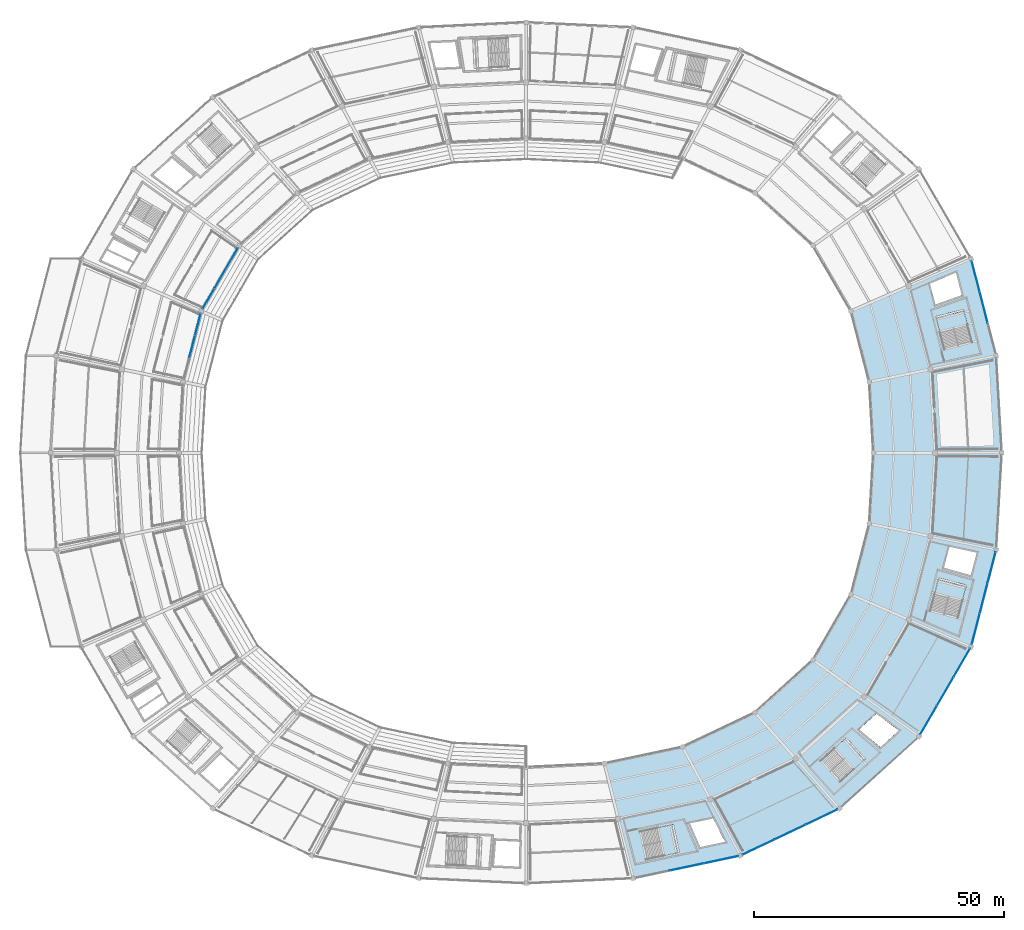
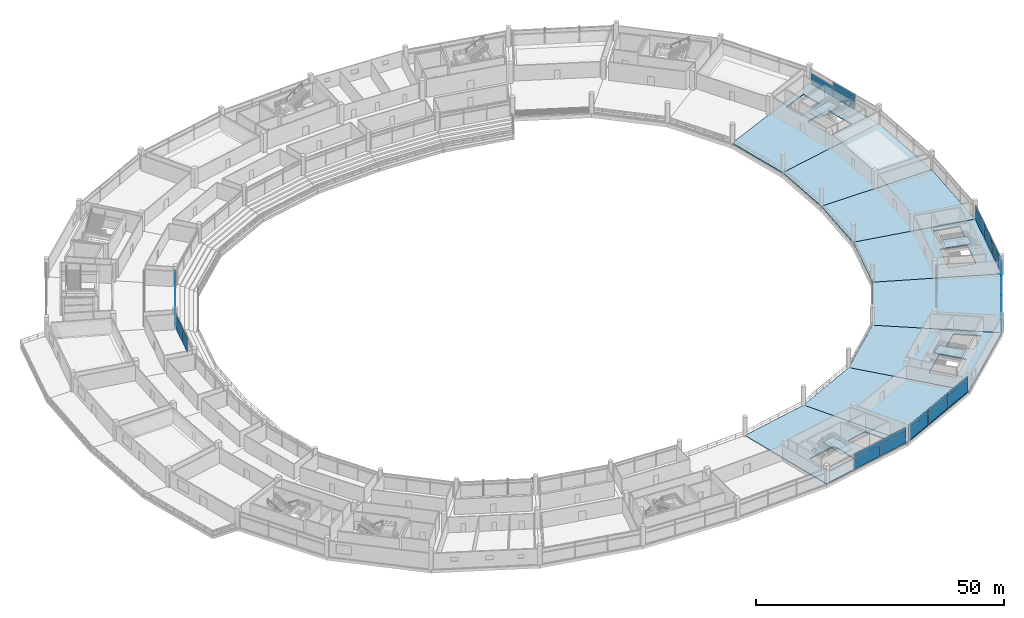
# One storey, part 124 of 171: 35 plates, 12 slabs, 11 elements without a shape of their own.
"""IFC4 building model written with IfcOpenShell, lengths in metres."""

from ifc_helpers import new_model, si_unit, direction, frame, origin, origin_2d, place, context, subcontext, project, spatial, polyline, rectangle, outline, extrude, material, layer, layer_set, type_object, element, aggregate, save


model = new_model("IFC4")

# Units and contexts
model_context = context("Model", 3, precision=1e-05, world=origin(), true_north=direction((0.0, 1.0)))
body_context = subcontext(model_context, "Body", "Model", "MODEL_VIEW")
ifc_project = project(units=[si_unit("LENGTHUNIT", "METRE"), si_unit("AREAUNIT", "SQUARE_METRE"), si_unit("VOLUMEUNIT", "CUBIC_METRE"), si_unit("PLANEANGLEUNIT", "RADIAN"), si_unit("MASSUNIT", "GRAM", prefix="KILO")], contexts=[model_context])

# Site, building, storey
site_placement = place(None, origin())
site = spatial("IfcSite", under=ifc_project, at=site_placement, CompositionType="ELEMENT")
building_placement = place(site_placement, origin())
building = spatial("IfcBuilding", under=site, at=building_placement, Name="Kazemori Nagisa Stadium", CompositionType="ELEMENT")
storey_placement = place(building_placement, frame((0.0, 0.0, 15.639892578125)))
storey = spatial("IfcBuildingStorey", under=building, at=storey_placement, Name="L03", CompositionType="ELEMENT", Elevation=15.639892578125)

# Curtain wall, plates
ifc_material_1 = material(Name="Anodised aluminium 6063-T5", Category="aluminium")
ifc_layer_1 = layer(ifc_material_1, 0.2099609375, Name="Anodised aluminium 6063-T5", Category="aluminium")
ifc_layer_set_1 = layer_set([ifc_layer_1], Name="Anodised aluminium 6063-T5")
curtain_wall_type_1 = type_object("IfcCurtainWallType", Name="CW_L03B_68", PredefinedType="USERDEFINED", material=ifc_layer_set_1)
curtain_wall_1_placement = place(storey_placement, origin())
curtain_wall_1 = element("IfcCurtainWall", 1, at=curtain_wall_1_placement, inside=storey, type_object=curtain_wall_type_1, Name="Unitised curtain wall CW-L03B-68 L03", ObjectType="UNITISED CURTAIN WALL", PredefinedType="USERDEFINED")
ifc_material_2 = material(Name="Anodised aluminium spandrel sheet", Category="aluminium")
ifc_layer_2 = layer(ifc_material_2, 0.047119140625, Name="Anodised aluminium spandrel sheet", Category="aluminium")
ifc_layer_set_2 = layer_set([ifc_layer_2], Name="Anodised aluminium spandrel sheet")
plate_type_1 = type_object("IfcPlateType", Name="CWPanel_SPN_L03B_68", PredefinedType="CURTAIN_PANEL", material=ifc_layer_set_2)
plate_1_placement = place(storey_placement, frame((57.4169921875, 127.58740234375, 3.01025390625), z_axis=(0.0, 0.0, 1.0), x_axis=(-0.249964642418, -0.968254965152, 0.0)))
plate_1 = element("IfcPlate", 2, at=plate_1_placement, type_object=plate_type_1, Name="Curtain wall spandrel panel CW-L03B-68-S1", PredefinedType="CURTAIN_PANEL", context=body_context, shape_type="SweptSolid", body=[
    extrude(rectangle(XDim=4.482666015625, YDim=0.047119140625, at=origin_2d()), origin(), (0.0, 0.0, 1.0), 0.800048828125),
])
plate_2_placement = place(storey_placement, frame((56.29052734375, 123.2236328125, 3.01025390625), z_axis=(0.0, 0.0, 1.0), x_axis=(-0.249964642418, -0.968254965152, 0.0)))
plate_2 = element("IfcPlate", 3, at=plate_2_placement, type_object=plate_type_1, Name="Curtain wall spandrel panel CW-L03B-68-S2", PredefinedType="CURTAIN_PANEL", context=body_context, shape_type="SweptSolid", body=[
    extrude(rectangle(XDim=4.482666015625, YDim=0.047119140625, at=origin_2d()), origin(), (0.0, 0.0, 1.0), 0.800048828125),
])

ifc_layer_3 = layer(ifc_material_1, 0.2099609375, Name="Anodised aluminium 6063-T5", Category="aluminium")
ifc_layer_set_3 = layer_set([ifc_layer_3], Name="Anodised aluminium 6063-T5")
curtain_wall_type_2 = type_object("IfcCurtainWallType", Name="CW_L03B_71", PredefinedType="USERDEFINED", material=ifc_layer_set_3)
curtain_wall_2_placement = place(storey_placement, origin())
curtain_wall_2 = element("IfcCurtainWall", 4, at=curtain_wall_2_placement, inside=storey, type_object=curtain_wall_type_2, Name="Unitised curtain wall CW-L03B-71 L03", ObjectType="UNITISED CURTAIN WALL", PredefinedType="USERDEFINED")
ifc_layer_4 = layer(ifc_material_2, 0.047119140625, Name="Anodised aluminium spandrel sheet", Category="aluminium")
ifc_layer_set_4 = layer_set([ifc_layer_4], Name="Anodised aluminium spandrel sheet")
plate_type_2 = type_object("IfcPlateType", Name="CWPanel_SPN_L03B_71", PredefinedType="CURTAIN_PANEL", material=ifc_layer_set_4)
plate_3_placement = place(storey_placement, frame((64.25537109375, 140.87890625, 3.01025390625), z_axis=(0.0, 0.0, 1.0), x_axis=(-0.501611590054, -0.865092950337, 0.0)))
plate_3 = element("IfcPlate", 5, at=plate_3_placement, type_object=plate_type_2, Name="Curtain wall spandrel panel CW-L03B-71-S1", PredefinedType="CURTAIN_PANEL", context=body_context, shape_type="SweptSolid", body=[
    extrude(rectangle(XDim=4.659423828125, YDim=0.047119140625, at=origin_2d()), origin(), (0.0, 0.0, 1.0), 0.800048828125),
])
plate_4_placement = place(storey_placement, frame((61.90625, 136.827392578125, 3.01025390625), z_axis=(0.0, 0.0, 1.0), x_axis=(-0.501611590054, -0.865092950337, 0.0)))
plate_4 = element("IfcPlate", 6, at=plate_4_placement, type_object=plate_type_2, Name="Curtain wall spandrel panel CW-L03B-71-S2", PredefinedType="CURTAIN_PANEL", context=body_context, shape_type="SweptSolid", body=[
    extrude(rectangle(XDim=4.659423828125, YDim=0.047119140625, at=origin_2d()), origin(), (0.0, 0.0, 1.0), 0.800048828125),
])
plate_5_placement = place(storey_placement, frame((59.556884765625, 132.775634765625, 3.01025390625), z_axis=(0.0, 0.0, 1.0), x_axis=(-0.501611590054, -0.865092950337, 0.0)))
plate_5 = element("IfcPlate", 7, at=plate_5_placement, type_object=plate_type_2, Name="Curtain wall spandrel panel CW-L03B-71-S3", PredefinedType="CURTAIN_PANEL", context=body_context, shape_type="SweptSolid", body=[
    extrude(rectangle(XDim=4.659423828125, YDim=0.047119140625, at=origin_2d()), origin(), (0.0, 0.0, 1.0), 0.800048828125),
])

ifc_layer_5 = layer(ifc_material_1, 0.2099609375, Name="Anodised aluminium 6063-T5", Category="aluminium")
ifc_layer_set_5 = layer_set([ifc_layer_5], Name="Anodised aluminium 6063-T5")
curtain_wall_type_3 = type_object("IfcCurtainWallType", Name="CW_L03R3_105", PredefinedType="USERDEFINED", material=ifc_layer_set_5)
curtain_wall_3_placement = place(storey_placement, origin())
curtain_wall_3 = element("IfcCurtainWall", 8, at=curtain_wall_3_placement, inside=storey, type_object=curtain_wall_type_3, Name="Unitised curtain wall CW-L03R3-105 L03", ObjectType="UNITISED CURTAIN WALL", PredefinedType="USERDEFINED")
ifc_layer_6 = layer(ifc_material_2, 0.050048828125, Name="Anodised aluminium spandrel sheet", Category="aluminium")
ifc_layer_set_6 = layer_set([ifc_layer_6], Name="Anodised aluminium spandrel sheet")
plate_type_3 = type_object("IfcPlateType", Name="CWPanel_SPN_L03R3_105", PredefinedType="CURTAIN_PANEL", material=ifc_layer_set_6)
plate_6_placement = place(storey_placement, frame((155.1162109375, 19.2744140625, 2.705078125), z_axis=(0.0, 0.0, 1.0), x_axis=(0.978344955407, 0.206981033502, 0.0)))
plate_6 = element("IfcPlate", 9, at=plate_6_placement, type_object=plate_type_3, Name="Curtain wall spandrel panel CW-L03R3-105-S2", PredefinedType="CURTAIN_PANEL", context=body_context, shape_type="SweptSolid", body=[
    extrude(rectangle(XDim=6.942626953125, YDim=0.050048828125, at=origin_2d()), origin(), (0.0, 0.0, 1.0), 1.10498046875),
])
plate_7_placement = place(storey_placement, frame((161.93212890625, 20.716552734375, 2.705078125), z_axis=(0.0, 0.0, 1.0), x_axis=(0.978344955407, 0.206981033502, 0.0)))
plate_7 = element("IfcPlate", 10, at=plate_7_placement, type_object=plate_type_3, Name="Curtain wall spandrel panel CW-L03R3-105-S3", PredefinedType="CURTAIN_PANEL", context=body_context, shape_type="SweptSolid", body=[
    extrude(rectangle(XDim=6.942626953125, YDim=0.050048828125, at=origin_2d()), origin(), (0.0, 0.0, 1.0), 1.10498046875),
])

curtain_wall_4_placement = place(storey_placement, origin())
curtain_wall_4 = element("IfcCurtainWall", 11, at=curtain_wall_4_placement, inside=storey, type_object=curtain_wall_type_3, Name="Unitised curtain wall CW-L03R3-105 L03", ObjectType="UNITISED CURTAIN WALL", PredefinedType="USERDEFINED")
plate_8_placement = place(storey_placement, frame((169.3896484375, 23.2392578125, 2.705078125), z_axis=(0.0, 0.0, 1.0), x_axis=(0.903215892654, 0.429186499388, 0.0)))
plate_8 = element("IfcPlate", 12, at=plate_8_placement, type_object=plate_type_3, Name="Curtain wall spandrel panel CW-L03R3-105-S1", PredefinedType="CURTAIN_PANEL", context=body_context, shape_type="SweptSolid", body=[
    extrude(rectangle(XDim=6.964111328125, YDim=0.050048828125, at=origin_2d()), origin(), (0.0, 0.0, 1.0), 1.10498046875),
])
plate_9_placement = place(storey_placement, frame((175.701416015625, 26.23828125, 2.705078125), z_axis=(0.0, 0.0, 1.0), x_axis=(0.903215892654, 0.429186499388, 0.0)))
plate_9 = element("IfcPlate", 13, at=plate_9_placement, type_object=plate_type_3, Name="Curtain wall spandrel panel CW-L03R3-105-S2", PredefinedType="CURTAIN_PANEL", context=body_context, shape_type="SweptSolid", body=[
    extrude(rectangle(XDim=6.964111328125, YDim=0.050048828125, at=origin_2d()), origin(), (0.0, 0.0, 1.0), 1.10498046875),
])
plate_10_placement = place(storey_placement, frame((182.01318359375, 29.237548828125, 2.705078125), z_axis=(0.0, 0.0, 1.0), x_axis=(0.903215892654, 0.429186499388, 0.0)))
plate_10 = element("IfcPlate", 14, at=plate_10_placement, type_object=plate_type_3, Name="Curtain wall spandrel panel CW-L03R3-105-S3", PredefinedType="CURTAIN_PANEL", context=body_context, shape_type="SweptSolid", body=[
    extrude(rectangle(XDim=6.964111328125, YDim=0.050048828125, at=origin_2d()), origin(), (0.0, 0.0, 1.0), 1.10498046875),
])

# Curtain wall, plate
ifc_layer_7 = layer(ifc_material_1, 0.2099609375, Name="Anodised aluminium 6063-T5", Category="aluminium")
ifc_layer_set_7 = layer_set([ifc_layer_7], Name="Anodised aluminium 6063-T5")
curtain_wall_type_4 = type_object("IfcCurtainWallType", Name="CW_L03R3_96", PredefinedType="USERDEFINED", material=ifc_layer_set_7)
curtain_wall_5_placement = place(storey_placement, origin())
curtain_wall_5 = element("IfcCurtainWall", 15, at=curtain_wall_5_placement, inside=storey, type_object=curtain_wall_type_4, Name="Unitised curtain wall CW-L03R3-96 L03", ObjectType="UNITISED CURTAIN WALL", PredefinedType="USERDEFINED")
ifc_layer_8 = layer(ifc_material_2, 0.050048828125, Name="Anodised aluminium spandrel sheet", Category="aluminium")
ifc_layer_set_8 = layer_set([ifc_layer_8], Name="Anodised aluminium spandrel sheet")
plate_type_4 = type_object("IfcPlateType", Name="CWPanel_SPN_L03R3_96", PredefinedType="CURTAIN_PANEL", material=ifc_layer_set_8)
plate_11_placement = place(storey_placement, frame((214.3828125, 131.07373046875, 2.705078125), z_axis=(0.0, 0.0, 1.0), x_axis=(-0.249964642418, 0.968254965152, 0.0)))
plate_11 = element("IfcPlate", 16, at=plate_11_placement, type_object=plate_type_4, Name="Curtain wall spandrel panel CW-L03R3-96-S2", PredefinedType="CURTAIN_PANEL", context=body_context, shape_type="SweptSolid", body=[
    extrude(rectangle(XDim=6.3212890625, YDim=0.050048828125, at=origin_2d()), origin(), (0.0, 0.0, 1.0), 1.10498046875),
])

# Curtain wall, plates
curtain_wall_6_placement = place(storey_placement, origin())
curtain_wall_6 = element("IfcCurtainWall", 17, at=curtain_wall_6_placement, inside=storey, type_object=curtain_wall_type_4, Name="Unitised curtain wall CW-L03R3-96 L03", ObjectType="UNITISED CURTAIN WALL", PredefinedType="USERDEFINED")
plate_12_placement = place(storey_placement, frame((212.796630859375, 66.782470703125, 2.705078125), z_axis=(0.0, 0.0, 1.0), x_axis=(0.249964642418, 0.968254965152, 0.0)))
plate_12 = element("IfcPlate", 18, at=plate_12_placement, type_object=plate_type_4, Name="Curtain wall spandrel panel CW-L03R3-96-S1", PredefinedType="CURTAIN_PANEL", context=body_context, shape_type="SweptSolid", body=[
    extrude(rectangle(XDim=6.3212890625, YDim=0.050048828125, at=origin_2d()), origin(), (0.0, 0.0, 1.0), 1.10498046875),
])
plate_13_placement = place(storey_placement, frame((214.3828125, 72.92626953125, 2.705078125), z_axis=(0.0, 0.0, 1.0), x_axis=(0.249964642418, 0.968254965152, 0.0)))
plate_13 = element("IfcPlate", 19, at=plate_13_placement, type_object=plate_type_4, Name="Curtain wall spandrel panel CW-L03R3-96-S2", PredefinedType="CURTAIN_PANEL", context=body_context, shape_type="SweptSolid", body=[
    extrude(rectangle(XDim=6.3212890625, YDim=0.050048828125, at=origin_2d()), origin(), (0.0, 0.0, 1.0), 1.10498046875),
])
plate_14_placement = place(storey_placement, frame((215.968994140625, 79.0703125, 2.705078125), z_axis=(0.0, 0.0, 1.0), x_axis=(0.249964642418, 0.968254965152, 0.0)))
plate_14 = element("IfcPlate", 20, at=plate_14_placement, type_object=plate_type_4, Name="Curtain wall spandrel panel CW-L03R3-96-S3", PredefinedType="CURTAIN_PANEL", context=body_context, shape_type="SweptSolid", body=[
    extrude(rectangle(XDim=6.3212890625, YDim=0.050048828125, at=origin_2d()), origin(), (0.0, 0.0, 1.0), 1.10498046875),
])

ifc_layer_9 = layer(ifc_material_1, 0.2099609375, Name="Anodised aluminium 6063-T5", Category="aluminium")
ifc_layer_set_9 = layer_set([ifc_layer_9], Name="Anodised aluminium 6063-T5")
curtain_wall_type_5 = type_object("IfcCurtainWallType", Name="CW_L03R3_99", PredefinedType="USERDEFINED", material=ifc_layer_set_9)
curtain_wall_7_placement = place(storey_placement, origin())
curtain_wall_7 = element("IfcCurtainWall", 21, at=curtain_wall_7_placement, inside=storey, type_object=curtain_wall_type_5, Name="Unitised curtain wall CW-L03R3-99 L03", ObjectType="UNITISED CURTAIN WALL", PredefinedType="USERDEFINED")
ifc_layer_10 = layer(ifc_material_2, 0.050048828125, Name="Anodised aluminium spandrel sheet", Category="aluminium")
ifc_layer_set_10 = layer_set([ifc_layer_10], Name="Anodised aluminium spandrel sheet")
plate_type_5 = type_object("IfcPlateType", Name="CWPanel_SPN_L03R3_99", PredefinedType="CURTAIN_PANEL", material=ifc_layer_set_10)
plate_15_placement = place(storey_placement, frame((203.3857421875, 48.5927734375, 2.705078125), z_axis=(0.0, 0.0, 1.0), x_axis=(0.501611590054, 0.865092950337, 0.0)))
plate_15 = element("IfcPlate", 22, at=plate_15_placement, type_object=plate_type_5, Name="Curtain wall spandrel panel CW-L03R3-99-S1", PredefinedType="CURTAIN_PANEL", context=body_context, shape_type="SweptSolid", body=[
    extrude(rectangle(XDim=6.563232421875, YDim=0.050048828125, at=origin_2d()), origin(), (0.0, 0.0, 1.0), 1.10498046875),
])
plate_16_placement = place(storey_placement, frame((206.690185546875, 54.29150390625, 2.705078125), z_axis=(0.0, 0.0, 1.0), x_axis=(0.501611590054, 0.865092950337, 0.0)))
plate_16 = element("IfcPlate", 23, at=plate_16_placement, type_object=plate_type_5, Name="Curtain wall spandrel panel CW-L03R3-99-S2", PredefinedType="CURTAIN_PANEL", context=body_context, shape_type="SweptSolid", body=[
    extrude(rectangle(XDim=6.563232421875, YDim=0.050048828125, at=origin_2d()), origin(), (0.0, 0.0, 1.0), 1.10498046875),
])
plate_17_placement = place(storey_placement, frame((209.994384765625, 59.990234375, 2.705078125), z_axis=(0.0, 0.0, 1.0), x_axis=(0.501611590054, 0.865092950337, 0.0)))
plate_17 = element("IfcPlate", 24, at=plate_17_placement, type_object=plate_type_5, Name="Curtain wall spandrel panel CW-L03R3-99-S3", PredefinedType="CURTAIN_PANEL", context=body_context, shape_type="SweptSolid", body=[
    extrude(rectangle(XDim=6.563232421875, YDim=0.050048828125, at=origin_2d()), origin(), (0.0, 0.0, 1.0), 1.10498046875),
])

# Plate
ifc_material_3 = material(Name="Low-e laminated double glazing", Category="glass")
ifc_layer_11 = layer(ifc_material_3, 0.033935546875, Name="Low-e laminated double glazing", Category="glass")
ifc_layer_set_11 = layer_set([ifc_layer_11], Name="Low-e laminated double glazing")
plate_type_6 = type_object("IfcPlateType", Name="CWPanel_VIS_L03B_68", PredefinedType="CURTAIN_PANEL", material=ifc_layer_set_11)
plate_18_placement = place(storey_placement, frame((57.4169921875, 127.58740234375, 0.0), z_axis=(0.0, 0.0, 1.0), x_axis=(-0.249964642418, -0.968254965152, 0.0)))
plate_18 = element("IfcPlate", 25, at=plate_18_placement, type_object=plate_type_6, Name="Curtain wall vision panel CW-L03B-68-V1", PredefinedType="CURTAIN_PANEL", context=body_context, shape_type="SweptSolid", body=[
    extrude(rectangle(XDim=4.482666015625, YDim=0.033935546875, at=origin_2d()), origin(), (0.0, 0.0, 1.0), 3.010009765625),
])

plate_19_placement = place(storey_placement, frame((56.29052734375, 123.2236328125, 0.0), z_axis=(0.0, 0.0, 1.0), x_axis=(-0.249964642418, -0.968254965152, 0.0)))
plate_19 = element("IfcPlate", 26, at=plate_19_placement, type_object=plate_type_6, Name="Curtain wall vision panel CW-L03B-68-V2", PredefinedType="CURTAIN_PANEL", context=body_context, shape_type="SweptSolid", body=[
    extrude(rectangle(XDim=4.482666015625, YDim=0.033935546875, at=origin_2d()), origin(), (0.0, 0.0, 1.0), 3.010009765625),
])

aggregate(curtain_wall_1, [plate_18, plate_1, plate_19, plate_2])

ifc_layer_12 = layer(ifc_material_3, 0.033935546875, Name="Low-e laminated double glazing", Category="glass")
ifc_layer_set_12 = layer_set([ifc_layer_12], Name="Low-e laminated double glazing")
plate_type_7 = type_object("IfcPlateType", Name="CWPanel_VIS_L03B_71", PredefinedType="CURTAIN_PANEL", material=ifc_layer_set_12)
plate_20_placement = place(storey_placement, frame((64.25537109375, 140.87890625, 0.0), z_axis=(0.0, 0.0, 1.0), x_axis=(-0.501611590054, -0.865092950337, 0.0)))
plate_20 = element("IfcPlate", 27, at=plate_20_placement, type_object=plate_type_7, Name="Curtain wall vision panel CW-L03B-71-V1", PredefinedType="CURTAIN_PANEL", context=body_context, shape_type="SweptSolid", body=[
    extrude(rectangle(XDim=4.659423828125, YDim=0.033935546875, at=origin_2d()), origin(), (0.0, 0.0, 1.0), 3.010009765625),
])

plate_21_placement = place(storey_placement, frame((61.90625, 136.827392578125, 0.0), z_axis=(0.0, 0.0, 1.0), x_axis=(-0.501611590054, -0.865092950337, 0.0)))
plate_21 = element("IfcPlate", 28, at=plate_21_placement, type_object=plate_type_7, Name="Curtain wall vision panel CW-L03B-71-V2", PredefinedType="CURTAIN_PANEL", context=body_context, shape_type="SweptSolid", body=[
    extrude(rectangle(XDim=4.659423828125, YDim=0.033935546875, at=origin_2d()), origin(), (0.0, 0.0, 1.0), 3.010009765625),
])

plate_22_placement = place(storey_placement, frame((59.556884765625, 132.775634765625, 0.0), z_axis=(0.0, 0.0, 1.0), x_axis=(-0.501611590054, -0.865092950337, 0.0)))
plate_22 = element("IfcPlate", 29, at=plate_22_placement, type_object=plate_type_7, Name="Curtain wall vision panel CW-L03B-71-V3", PredefinedType="CURTAIN_PANEL", context=body_context, shape_type="SweptSolid", body=[
    extrude(rectangle(XDim=4.659423828125, YDim=0.033935546875, at=origin_2d()), origin(), (0.0, 0.0, 1.0), 3.010009765625),
])

aggregate(curtain_wall_2, [plate_20, plate_3, plate_21, plate_4, plate_22, plate_5])

ifc_layer_13 = layer(ifc_material_3, 0.031982421875, Name="Low-e laminated double glazing", Category="glass")
ifc_layer_set_13 = layer_set([ifc_layer_13], Name="Low-e laminated double glazing")
plate_type_8 = type_object("IfcPlateType", Name="CWPanel_VIS_L03R3_105", PredefinedType="CURTAIN_PANEL", material=ifc_layer_set_13)
plate_23_placement = place(storey_placement, frame((155.1162109375, 19.2744140625, 0.0), z_axis=(0.0, 0.0, 1.0), x_axis=(0.978344955407, 0.206981033502, 0.0)))
plate_23 = element("IfcPlate", 30, at=plate_23_placement, type_object=plate_type_8, Name="Curtain wall vision panel CW-L03R3-105-V2", PredefinedType="CURTAIN_PANEL", context=body_context, shape_type="SweptSolid", body=[
    extrude(rectangle(XDim=6.942626953125, YDim=0.031982421875, at=origin_2d()), origin(), (0.0, 0.0, 1.0), 2.705078125),
])

plate_24_placement = place(storey_placement, frame((161.93212890625, 20.716552734375, 0.0), z_axis=(0.0, 0.0, 1.0), x_axis=(0.978344955407, 0.206981033502, 0.0)))
plate_24 = element("IfcPlate", 31, at=plate_24_placement, type_object=plate_type_8, Name="Curtain wall vision panel CW-L03R3-105-V3", PredefinedType="CURTAIN_PANEL", context=body_context, shape_type="SweptSolid", body=[
    extrude(rectangle(XDim=6.942626953125, YDim=0.031982421875, at=origin_2d()), origin(), (0.0, 0.0, 1.0), 2.705078125),
])

aggregate(curtain_wall_3, [plate_23, plate_6, plate_24, plate_7])

plate_25_placement = place(storey_placement, frame((169.3896484375, 23.2392578125, 0.0), z_axis=(0.0, 0.0, 1.0), x_axis=(0.903215892654, 0.429186499388, 0.0)))
plate_25 = element("IfcPlate", 32, at=plate_25_placement, type_object=plate_type_8, Name="Curtain wall vision panel CW-L03R3-105-V1", PredefinedType="CURTAIN_PANEL", context=body_context, shape_type="SweptSolid", body=[
    extrude(rectangle(XDim=6.964111328125, YDim=0.031982421875, at=origin_2d()), origin(), (0.0, 0.0, 1.0), 2.705078125),
])

plate_26_placement = place(storey_placement, frame((175.701416015625, 26.23828125, 0.0), z_axis=(0.0, 0.0, 1.0), x_axis=(0.903215892654, 0.429186499388, 0.0)))
plate_26 = element("IfcPlate", 33, at=plate_26_placement, type_object=plate_type_8, Name="Curtain wall vision panel CW-L03R3-105-V2", PredefinedType="CURTAIN_PANEL", context=body_context, shape_type="SweptSolid", body=[
    extrude(rectangle(XDim=6.964111328125, YDim=0.031982421875, at=origin_2d()), origin(), (0.0, 0.0, 1.0), 2.705078125),
])

plate_27_placement = place(storey_placement, frame((182.01318359375, 29.237548828125, 0.0), z_axis=(0.0, 0.0, 1.0), x_axis=(0.903215892654, 0.429186499388, 0.0)))
plate_27 = element("IfcPlate", 34, at=plate_27_placement, type_object=plate_type_8, Name="Curtain wall vision panel CW-L03R3-105-V3", PredefinedType="CURTAIN_PANEL", context=body_context, shape_type="SweptSolid", body=[
    extrude(rectangle(XDim=6.964111328125, YDim=0.031982421875, at=origin_2d()), origin(), (0.0, 0.0, 1.0), 2.705078125),
])

aggregate(curtain_wall_4, [plate_25, plate_8, plate_26, plate_9, plate_27, plate_10])

ifc_layer_14 = layer(ifc_material_3, 0.031982421875, Name="Low-e laminated double glazing", Category="glass")
ifc_layer_set_14 = layer_set([ifc_layer_14], Name="Low-e laminated double glazing")
plate_type_9 = type_object("IfcPlateType", Name="CWPanel_VIS_L03R3_96", PredefinedType="CURTAIN_PANEL", material=ifc_layer_set_14)
plate_28_placement = place(storey_placement, frame((214.3828125, 131.07373046875, 0.0), z_axis=(0.0, 0.0, 1.0), x_axis=(-0.249964642418, 0.968254965152, 0.0)))
plate_28 = element("IfcPlate", 35, at=plate_28_placement, type_object=plate_type_9, Name="Curtain wall vision panel CW-L03R3-96-V2", PredefinedType="CURTAIN_PANEL", context=body_context, shape_type="SweptSolid", body=[
    extrude(rectangle(XDim=6.3212890625, YDim=0.031982421875, at=origin_2d()), origin(), (0.0, 0.0, 1.0), 2.705078125),
])

plate_29_placement = place(storey_placement, frame((212.796630859375, 137.217529296875, 0.0), z_axis=(0.0, 0.0, 1.0), x_axis=(-0.249964642418, 0.968254965152, 0.0)))
plate_29 = element("IfcPlate", 36, at=plate_29_placement, type_object=plate_type_9, Name="Curtain wall vision panel CW-L03R3-96-V3", PredefinedType="CURTAIN_PANEL", context=body_context, shape_type="SweptSolid", body=[
    extrude(rectangle(XDim=6.3212890625, YDim=0.031982421875, at=origin_2d()), origin(), (0.0, 0.0, 1.0), 2.705078125),
])

aggregate(curtain_wall_5, [plate_28, plate_11, plate_29])

plate_30_placement = place(storey_placement, frame((212.796630859375, 66.782470703125, 0.0), z_axis=(0.0, 0.0, 1.0), x_axis=(0.249964642418, 0.968254965152, 0.0)))
plate_30 = element("IfcPlate", 37, at=plate_30_placement, type_object=plate_type_9, Name="Curtain wall vision panel CW-L03R3-96-V1", PredefinedType="CURTAIN_PANEL", context=body_context, shape_type="SweptSolid", body=[
    extrude(rectangle(XDim=6.3212890625, YDim=0.031982421875, at=origin_2d()), origin(), (0.0, 0.0, 1.0), 2.705078125),
])

plate_31_placement = place(storey_placement, frame((214.3828125, 72.92626953125, 0.0), z_axis=(0.0, 0.0, 1.0), x_axis=(0.249964642418, 0.968254965152, 0.0)))
plate_31 = element("IfcPlate", 38, at=plate_31_placement, type_object=plate_type_9, Name="Curtain wall vision panel CW-L03R3-96-V2", PredefinedType="CURTAIN_PANEL", context=body_context, shape_type="SweptSolid", body=[
    extrude(rectangle(XDim=6.3212890625, YDim=0.031982421875, at=origin_2d()), origin(), (0.0, 0.0, 1.0), 2.705078125),
])

plate_32_placement = place(storey_placement, frame((215.968994140625, 79.0703125, 0.0), z_axis=(0.0, 0.0, 1.0), x_axis=(0.249964642418, 0.968254965152, 0.0)))
plate_32 = element("IfcPlate", 39, at=plate_32_placement, type_object=plate_type_9, Name="Curtain wall vision panel CW-L03R3-96-V3", PredefinedType="CURTAIN_PANEL", context=body_context, shape_type="SweptSolid", body=[
    extrude(rectangle(XDim=6.3212890625, YDim=0.031982421875, at=origin_2d()), origin(), (0.0, 0.0, 1.0), 2.705078125),
])

aggregate(curtain_wall_6, [plate_30, plate_12, plate_31, plate_13, plate_32, plate_14])

ifc_layer_15 = layer(ifc_material_3, 0.031982421875, Name="Low-e laminated double glazing", Category="glass")
ifc_layer_set_15 = layer_set([ifc_layer_15], Name="Low-e laminated double glazing")
plate_type_10 = type_object("IfcPlateType", Name="CWPanel_VIS_L03R3_99", PredefinedType="CURTAIN_PANEL", material=ifc_layer_set_15)
plate_33_placement = place(storey_placement, frame((203.3857421875, 48.5927734375, 0.0), z_axis=(0.0, 0.0, 1.0), x_axis=(0.501611590054, 0.865092950337, 0.0)))
plate_33 = element("IfcPlate", 40, at=plate_33_placement, type_object=plate_type_10, Name="Curtain wall vision panel CW-L03R3-99-V1", PredefinedType="CURTAIN_PANEL", context=body_context, shape_type="SweptSolid", body=[
    extrude(rectangle(XDim=6.563232421875, YDim=0.031982421875, at=origin_2d()), origin(), (0.0, 0.0, 1.0), 2.705078125),
])

plate_34_placement = place(storey_placement, frame((206.690185546875, 54.29150390625, 0.0), z_axis=(0.0, 0.0, 1.0), x_axis=(0.501611590054, 0.865092950337, 0.0)))
plate_34 = element("IfcPlate", 41, at=plate_34_placement, type_object=plate_type_10, Name="Curtain wall vision panel CW-L03R3-99-V2", PredefinedType="CURTAIN_PANEL", context=body_context, shape_type="SweptSolid", body=[
    extrude(rectangle(XDim=6.563232421875, YDim=0.031982421875, at=origin_2d()), origin(), (0.0, 0.0, 1.0), 2.705078125),
])

plate_35_placement = place(storey_placement, frame((209.994384765625, 59.990234375, 0.0), z_axis=(0.0, 0.0, 1.0), x_axis=(0.501611590054, 0.865092950337, 0.0)))
plate_35 = element("IfcPlate", 42, at=plate_35_placement, type_object=plate_type_10, Name="Curtain wall vision panel CW-L03R3-99-V3", PredefinedType="CURTAIN_PANEL", context=body_context, shape_type="SweptSolid", body=[
    extrude(rectangle(XDim=6.563232421875, YDim=0.031982421875, at=origin_2d()), origin(), (0.0, 0.0, 1.0), 2.705078125),
])

aggregate(curtain_wall_7, [plate_33, plate_15, plate_34, plate_16, plate_35, plate_17])

# Slabs
ifc_material_4 = material(Name="Concrete C36/45 (Fc36)", Category="concrete")
ifc_layer_16 = layer(ifc_material_4, 0.260009765625, Name="Concrete C36/45 (Fc36)", Category="concrete")
ifc_layer_set_16 = layer_set([ifc_layer_16], Name="Concrete C36/45 (Fc36)")
slab_type_1 = type_object("IfcSlabType", Name="Slab_SL-CLUB-260", PredefinedType="FLOOR", material=ifc_layer_set_16)
slab_1_placement = place(storey_placement, frame((0.0, 0.0, -0.260009765625)))
element("IfcSlab", 43, at=slab_1_placement, inside=storey, type_object=slab_type_1, Name="Concourse floor slab L03 bay 01", PredefinedType="FLOOR", context=body_context, shape_type="SweptSolid", body=[
    extrude(outline(polyline([(192.35009765625, 102.0), (191.532958984375, 116.160400390625), (216.880859375, 121.397705078125), (218.0, 102.0), (192.35009765625, 102.0)])), origin(), (0.0, 0.0, 1.0), 0.260009765625),
])
slab_2_placement = place(storey_placement, frame((0.0, 0.0, -0.260009765625)))
element("IfcSlab", 44, at=slab_2_placement, inside=storey, type_object=slab_type_1, Name="Concourse floor slab L03 bay 02", PredefinedType="FLOOR", context=body_context, shape_type="SweptSolid", body=[
    extrude(outline(polyline([(191.532958984375, 116.160400390625), (187.885986328125, 130.287109375), (211.885009765625, 140.74951171875), (216.880859375, 121.397705078125), (191.532958984375, 116.160400390625)]), holes=[polyline([(206.533447265625, 122.641357421875), (204.831298828125, 129.235107421875), (210.350341796875, 130.659912109375), (212.052490234375, 124.066162109375), (206.533447265625, 122.641357421875)]), polyline([(204.751953125, 131.6064453125), (203.668212890625, 135.804931640625), (208.84375, 137.973876953125), (209.9970703125, 133.505859375), (204.751953125, 131.6064453125)])]), origin(), (0.0, 0.0, 1.0), 0.260009765625),
])
slab_3_placement = place(storey_placement, frame((0.0, 0.0, -0.260009765625)))
element("IfcSlab", 45, at=slab_3_placement, inside=storey, type_object=slab_type_1, Name="Concourse floor slab L03 bay 23", PredefinedType="FLOOR", context=body_context, shape_type="SweptSolid", body=[
    extrude(outline(polyline([(138.64208984375, 39.959716796875), (154.24755859375, 43.260986328125), (165.8046875, 21.53564453125), (144.427734375, 17.01318359375), (138.64208984375, 39.959716796875)]), holes=[polyline([(145.77685546875, 26.353271484375), (152.439453125, 27.7626953125), (153.619140625, 22.18603515625), (146.956787109375, 20.776611328125), (145.77685546875, 26.353271484375)]), polyline([(155.704833984375, 27.992919921875), (160.3427734375, 28.97412109375), (162.738525390625, 24.288818359375), (157.802978515625, 23.24462890625), (155.704833984375, 27.992919921875)])]), origin(), (0.0, 0.0, 1.0), 0.260009765625),
])
slab_4_placement = place(storey_placement, frame((0.0, 0.0, -0.260009765625)))
element("IfcSlab", 46, at=slab_4_placement, inside=storey, type_object=slab_type_1, Name="Concourse floor slab L03 bay 24", PredefinedType="FLOOR", context=body_context, shape_type="SweptSolid", body=[
    extrude(outline(polyline([(154.24755859375, 43.260986328125), (168.696533203125, 50.126953125), (185.597900390625, 30.94091796875), (165.8046875, 21.53564453125), (154.24755859375, 43.260986328125)])), origin(), (0.0, 0.0, 1.0), 0.260009765625),
])
slab_5_placement = place(storey_placement, frame((0.0, 0.0, -0.260009765625)))
element("IfcSlab", 47, at=slab_5_placement, inside=storey, type_object=slab_type_1, Name="Concourse floor slab L03 bay 25", PredefinedType="FLOOR", context=body_context, shape_type="SweptSolid", body=[
    extrude(outline(polyline([(168.696533203125, 50.126953125), (180.301513671875, 60.632568359375), (201.495361328125, 45.332275390625), (185.597900390625, 30.94091796875), (168.696533203125, 50.126953125)]), holes=[polyline([(181.87890625, 40.5205078125), (186.927490234375, 45.0908203125), (190.752685546875, 40.865234375), (185.7041015625, 36.294921875), (181.87890625, 40.5205078125)]), polyline([(189.504638671875, 46.739501953125), (192.953857421875, 49.86181640625), (197.442138671875, 46.5166015625), (193.771728515625, 43.19384765625), (189.504638671875, 46.739501953125)])]), origin(), (0.0, 0.0, 1.0), 0.260009765625),
])
slab_6_placement = place(storey_placement, frame((0.0, 0.0, -0.260009765625)))
element("IfcSlab", 48, at=slab_6_placement, inside=storey, type_object=slab_type_1, Name="Concourse floor slab L03 bay 26", PredefinedType="FLOOR", context=body_context, shape_type="SweptSolid", body=[
    extrude(outline(polyline([(180.301513671875, 60.632568359375), (187.885986328125, 73.712890625), (211.885009765625, 63.25048828125), (201.495361328125, 45.332275390625), (180.301513671875, 60.632568359375)])), origin(), (0.0, 0.0, 1.0), 0.260009765625),
])
slab_7_placement = place(storey_placement, frame((0.0, 0.0, -0.260009765625)))
element("IfcSlab", 49, at=slab_7_placement, inside=storey, type_object=slab_type_1, Name="Concourse floor slab L03 bay 27", PredefinedType="FLOOR", context=body_context, shape_type="SweptSolid", body=[
    extrude(outline(polyline([(187.885986328125, 73.712890625), (191.532958984375, 87.839599609375), (216.880859375, 82.602294921875), (211.885009765625, 63.25048828125), (187.885986328125, 73.712890625)]), holes=[polyline([(203.708740234375, 70.41650390625), (205.410888671875, 77.01025390625), (210.929931640625, 75.58544921875), (209.227783203125, 68.99169921875), (203.708740234375, 70.41650390625)]), polyline([(206.46826171875, 79.041259765625), (207.552001953125, 83.239990234375), (212.976806640625, 82.036376953125), (211.823486328125, 77.568359375), (206.46826171875, 79.041259765625)])]), origin(), (0.0, 0.0, 1.0), 0.260009765625),
])
slab_8_placement = place(storey_placement, frame((0.0, 0.0, -0.260009765625)))
element("IfcSlab", 50, at=slab_8_placement, inside=storey, type_object=slab_type_1, Name="Concourse floor slab L03 bay 28", PredefinedType="FLOOR", context=body_context, shape_type="SweptSolid", body=[
    extrude(outline(polyline([(191.532958984375, 87.839599609375), (192.35009765625, 102.0), (218.0, 102.0), (216.880859375, 82.602294921875), (191.532958984375, 87.839599609375)])), origin(), (0.0, 0.0, 1.0), 0.260009765625),
])

# Stair, slab
stair_type = type_object("IfcStairType", Name="Stair_CORE_28", PredefinedType="TWO_STRAIGHT_RUN_STAIR", material=ifc_material_4)
stair_1_placement = place(storey_placement, origin())
stair_1 = element("IfcStair", 51, at=stair_1_placement, inside=storey, type_object=stair_type, Name="Exit stair ST07 L03", PredefinedType="TWO_STRAIGHT_RUN_STAIR")
ifc_layer_17 = layer(ifc_material_4, 0.199951171875, Name="Concrete C36/45 (Fc36)", Category="concrete")
ifc_layer_set_17 = layer_set([ifc_layer_17], Name="Concrete C36/45 (Fc36)")
slab_type_2 = type_object("IfcSlabType", Name="Slab_SL-LND-200", PredefinedType="LANDING", material=ifc_layer_set_17)
slab_9_placement = place(storey_placement, frame((0.0, 0.0, 2.18017578125)))
slab_9 = element("IfcSlab", 52, at=slab_9_placement, type_object=slab_type_2, Name="Exit stair ST07 L03 mid-landing", PredefinedType="LANDING", context=body_context, shape_type="SweptSolid", body=[
    extrude(outline(polyline([(205.614990234375, 126.19970703125), (204.902587890625, 128.959228515625), (210.421630859375, 130.384033203125), (211.134033203125, 127.62451171875), (205.614990234375, 126.19970703125)])), origin(), (0.0, 0.0, 1.0), 0.199951171875),
])
aggregate(stair_1, [slab_9])

stair_2_placement = place(storey_placement, origin())
stair_2 = element("IfcStair", 53, at=stair_2_placement, inside=storey, type_object=stair_type, Name="Exit stair ST06 L03", PredefinedType="TWO_STRAIGHT_RUN_STAIR")
slab_10_placement = place(storey_placement, frame((0.0, 0.0, 2.18017578125)))
slab_10 = element("IfcSlab", 54, at=slab_10_placement, type_object=slab_type_2, Name="Exit stair ST06 L03 mid-landing", PredefinedType="LANDING", context=body_context, shape_type="SweptSolid", body=[
    extrude(outline(polyline([(149.372314453125, 27.11376953125), (152.16064453125, 27.70361328125), (153.34033203125, 22.127197265625), (150.552001953125, 21.537353515625), (149.372314453125, 27.11376953125)])), origin(), (0.0, 0.0, 1.0), 0.199951171875),
])
aggregate(stair_2, [slab_10])

stair_3_placement = place(storey_placement, origin())
stair_3 = element("IfcStair", 55, at=stair_3_placement, inside=storey, type_object=stair_type, Name="Exit stair ST04 L03", PredefinedType="TWO_STRAIGHT_RUN_STAIR")
slab_11_placement = place(storey_placement, frame((0.0, 0.0, 2.18017578125)))
slab_11 = element("IfcSlab", 56, at=slab_11_placement, type_object=slab_type_2, Name="Exit stair ST04 L03 mid-landing", PredefinedType="LANDING", context=body_context, shape_type="SweptSolid", body=[
    extrude(outline(polyline([(184.603271484375, 42.98681640625), (186.716064453125, 44.899658203125), (190.54150390625, 40.673828125), (188.4287109375, 38.76123046875), (184.603271484375, 42.98681640625)])), origin(), (0.0, 0.0, 1.0), 0.199951171875),
])
aggregate(stair_3, [slab_11])

stair_4_placement = place(storey_placement, origin())
stair_4 = element("IfcStair", 57, at=stair_4_placement, inside=storey, type_object=stair_type, Name="Exit stair ST10 L03", PredefinedType="TWO_STRAIGHT_RUN_STAIR")
slab_12_placement = place(storey_placement, frame((0.0, 0.0, 2.18017578125)))
slab_12 = element("IfcSlab", 58, at=slab_12_placement, type_object=slab_type_2, Name="Exit stair ST10 L03 mid-landing", PredefinedType="LANDING", context=body_context, shape_type="SweptSolid", body=[
    extrude(outline(polyline([(204.627197265625, 73.974853515625), (205.339599609375, 76.734375), (210.85888671875, 75.3095703125), (210.146484375, 72.550048828125), (204.627197265625, 73.974853515625)])), origin(), (0.0, 0.0, 1.0), 0.199951171875),
])
aggregate(stair_4, [slab_12])

save(model, "model.ifc")
